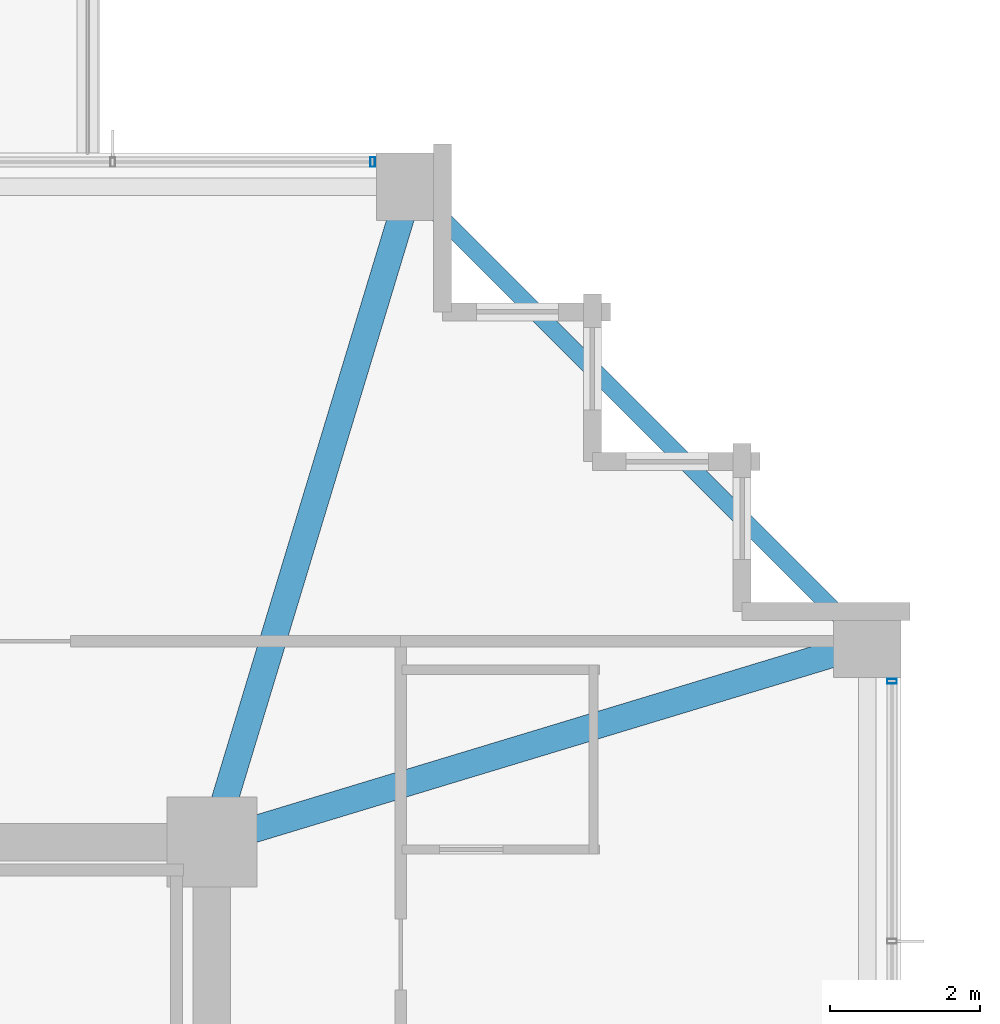
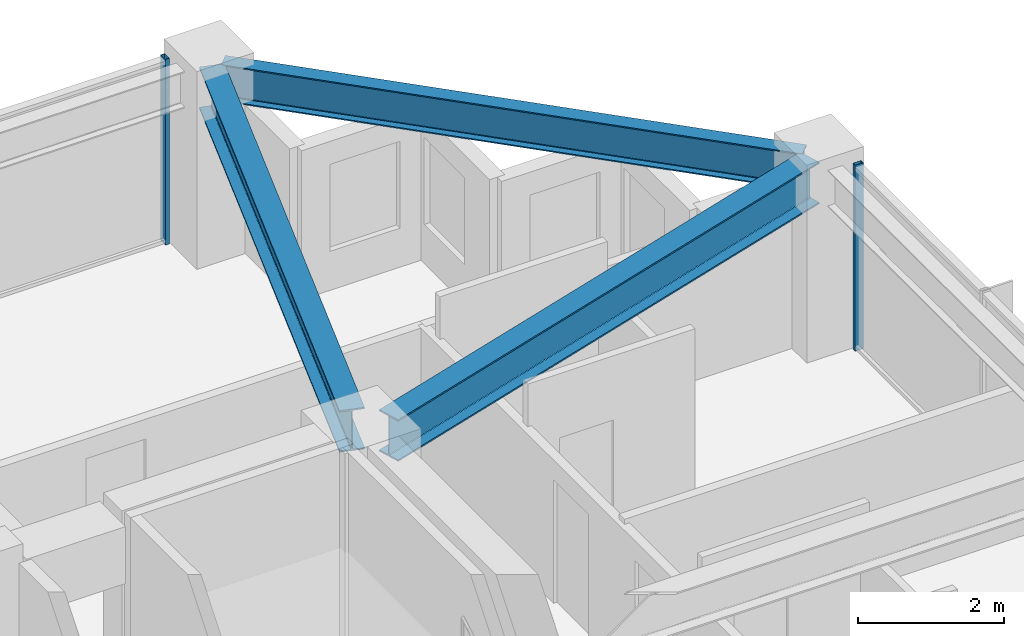
# One storey, part 21 of 34: 3 beams, 2 members, 2 elements without a shape of their own.
"""IFC4 building model written with IfcOpenShell, lengths in metres."""

from ifc_helpers import new_model, si_unit, direction, frame, origin, origin_2d, place, context, subcontext, project, spatial, hollow_rectangle, i_section, extrude, material, material_profile, profile_set, type_object, element, aggregate, save


model = new_model("IFC4")

# Units and contexts
model_context = context("Model", 3, precision=1e-05, world=origin(), true_north=direction((0.0, 1.0)))
body_context = subcontext(model_context, "Body", "Model", "MODEL_VIEW")
ifc_project = project(units=[si_unit("LENGTHUNIT", "METRE"), si_unit("AREAUNIT", "SQUARE_METRE"), si_unit("VOLUMEUNIT", "CUBIC_METRE"), si_unit("PLANEANGLEUNIT", "RADIAN"), si_unit("MASSUNIT", "GRAM", prefix="KILO")], contexts=[model_context])

# Site, building, storey
site_placement = place(None, origin())
site = spatial("IfcSite", under=ifc_project, at=site_placement, CompositionType="ELEMENT")
building_placement = place(site_placement, origin())
building = spatial("IfcBuilding", under=site, at=building_placement, Name="Kolvaren Belvedere", CompositionType="ELEMENT")
storey_placement = place(building_placement, frame((0.0, 0.0, 166.800048828125)))
storey = spatial("IfcBuildingStorey", under=building, at=storey_placement, Name="L48", CompositionType="ELEMENT", Elevation=166.800048828125)

# Beams
ifc_material_1 = material(Name="Structural steel ASTM A992 Grade 50", Category="steel")
ifc_material_profile_1 = material_profile(ifc_material_1, i_section(OverallWidth=0.35498046875, OverallDepth=0.696044921875, WebThickness=0.015380859375, FlangeThickness=0.02490234375, FilletRadius=0.02197265625, at=origin_2d()), Name="W27X146")
ifc_profile_set_1 = profile_set([ifc_material_profile_1], Name="Structural steel ASTM A992 Grade 50")
beam_type_1 = type_object("IfcBeamType", Name="BM-GIRD-W27X146", PredefinedType="BEAM", material=ifc_profile_set_1)
for number, where, z_axis, x_axis, name in (
    (1, (10.059326171875, 10.426513671875, 2.751953125), (0.289865629086, 0.957067352423, 0.0), (-0.957067352423, 0.289865629086, 0.0), "L48 Corner Core-to-Perimeter Girder CC3-N4"),
    (2, (10.426513671875, 10.059326171875, 2.751953125), (0.957067352423, 0.289865629086, 0.0), (-0.289865629086, 0.957067352423, 0.0), "L48 Corner Core-to-Perimeter Girder CC3-E4"),
):
    element("IfcBeam", number, at=place(storey_placement, frame(where, z_axis=z_axis, x_axis=x_axis)), inside=storey, type_object=beam_type_1, Name=name, PredefinedType="BEAM", context=body_context, shape_type="SweptSolid", body=[
        extrude(i_section(OverallWidth=0.35498046875, OverallDepth=0.696044921875, WebThickness=0.015380859375, FlangeThickness=0.02490234375, FilletRadius=0.02197265625, at=origin_2d()), origin(), (0.0, 0.0, 1.0), 8.412353515625),
    ])
ifc_material_2 = material(Name="Structural steel ASTM A992 Grade 50", Category="steel")
ifc_material_profile_2 = material_profile(ifc_material_2, i_section(OverallWidth=0.22900390625, OverallDepth=0.612060546875, WebThickness=0.011962890625, FlangeThickness=0.01953125, FilletRadius=0.01806640625, at=origin_2d()), Name="W24X84")
ifc_profile_set_2 = profile_set([ifc_material_profile_2], Name="Structural steel ASTM A992 Grade 50")
beam_type_2 = type_object("IfcBeamType", Name="BM-SPAN-W24X84", PredefinedType="SPANDREL", material=ifc_profile_set_2)
beam_placement = place(storey_placement, frame((18.5068359375, 12.693115234375, 2.7939453125), z_axis=(-0.707106781187, 0.707106781187, 0.0), x_axis=(-0.707106781187, -0.707106781187, 0.0)))
element("IfcBeam", 3, at=beam_placement, inside=storey, type_object=beam_type_2, Name="L48 Perimeter Spandrel E4-N4", PredefinedType="SPANDREL", context=body_context, shape_type="SweptSolid", body=[
    extrude(i_section(OverallWidth=0.22900390625, OverallDepth=0.612060546875, WebThickness=0.011962890625, FlangeThickness=0.01953125, FilletRadius=0.01806640625, at=origin_2d()), origin(), (0.0, 0.0, 1.0), 8.221923828125),
])

# Curtain wall, member
ifc_material_3 = material(Name="Anodised pale-metal aluminium AA 6063-T6", Category="aluminium")
curtain_wall_type = type_object("IfcCurtainWallType", Name="CW-Z3-WAIST", PredefinedType="NOTDEFINED", material=ifc_material_3)
curtain_wall_1_placement = place(storey_placement, origin())
curtain_wall_1 = element("IfcCurtainWall", 4, at=curtain_wall_1_placement, inside=storey, type_object=curtain_wall_type, Name="L48 Unitised Curtain Wall FCW-L48-E-B1", PredefinedType="NOTDEFINED")
ifc_material_4 = material(Name="Anodised pale-metal aluminium AA 6063-T6", Category="aluminium")
ifc_material_profile_3 = material_profile(ifc_material_4, hollow_rectangle(XDim=0.06494140625, YDim=0.1298828125, WallThickness=0.00390625, at=origin_2d()), Name="ALU-MUL-130X65")
ifc_profile_set_3 = profile_set([ifc_material_profile_3], Name="Anodised pale-metal aluminium AA 6063-T6")
member_type = type_object("IfcMemberType", Name="CW-MUL-130", PredefinedType="MULLION", material=ifc_profile_set_3)
member_1_placement = place(storey_placement, frame((18.97998046875, 12.047607421875, 0.0), z_axis=(0.0, 0.0, 1.0), x_axis=(0.0, 1.0, 0.0)))
member_1 = element("IfcMember", 5, at=member_1_placement, type_object=member_type, Name="FCW-L48-E-B1 Unitised Mullion 1", PredefinedType="MULLION", context=body_context, shape_type="SweptSolid", body=[
    extrude(hollow_rectangle(XDim=0.06494140625, YDim=0.1298828125, WallThickness=0.00390625, at=origin_2d()), origin(), (0.0, 0.0, 1.0), 3.099853515625),
])
aggregate(curtain_wall_1, [member_1])

curtain_wall_2_placement = place(storey_placement, origin())
curtain_wall_2 = element("IfcCurtainWall", 6, at=curtain_wall_2_placement, inside=storey, type_object=curtain_wall_type, Name="L48 Unitised Curtain Wall FCW-L48-N2-B2", PredefinedType="NOTDEFINED")
member_2_placement = place(storey_placement, frame((12.047607421875, 18.97998046875, 0.0), z_axis=(0.0, 0.0, 1.0), x_axis=(1.0, 0.0, 0.0)))
member_2 = element("IfcMember", 7, at=member_2_placement, type_object=member_type, Name="FCW-L48-N2-B2 Unitised Mullion 3", PredefinedType="MULLION", context=body_context, shape_type="SweptSolid", body=[
    extrude(hollow_rectangle(XDim=0.06494140625, YDim=0.1298828125, WallThickness=0.00390625, at=origin_2d()), origin(), (0.0, 0.0, 1.0), 3.099853515625),
])
aggregate(curtain_wall_2, [member_2])

save(model, "model.ifc")
